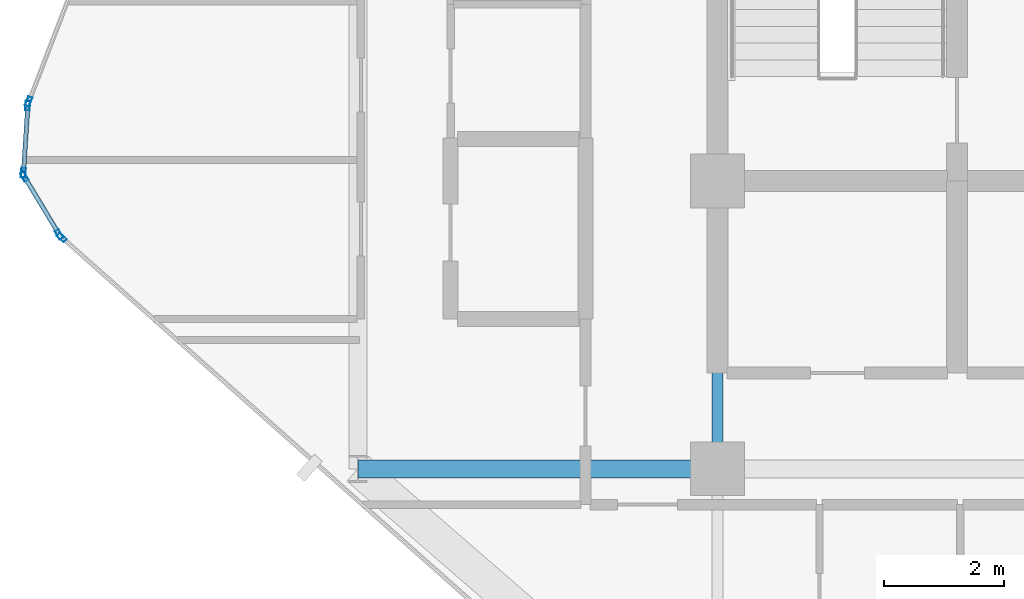
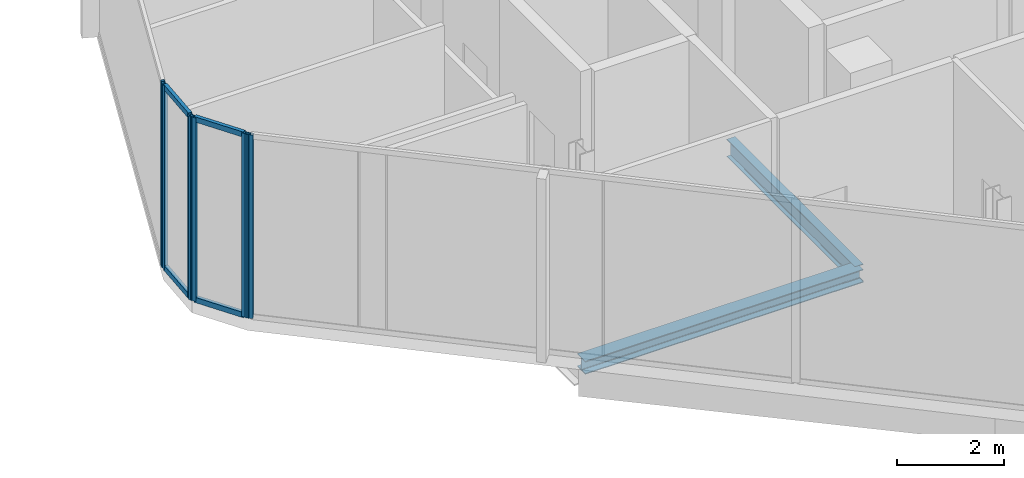
# One storey, part 8 of 28: 10 members, 2 beams, 4 elements without a shape of their own.
"""IFC4 building model written with IfcOpenShell, lengths in metres."""

from ifc_helpers import new_model, si_unit, direction, frame, origin, origin_2d, place, context, subcontext, project, spatial, hollow_rectangle, i_section, extrude, material, layer, layer_set, material_profile, profile_set, type_object, element, aggregate, save


model = new_model("IFC4")

# Units and contexts
model_context = context("Model", 3, precision=1e-05, world=origin(), true_north=direction((0.0, 1.0)))
body_context = subcontext(model_context, "Body", "Model", "MODEL_VIEW")
ifc_project = project(units=[si_unit("LENGTHUNIT", "METRE"), si_unit("AREAUNIT", "SQUARE_METRE"), si_unit("VOLUMEUNIT", "CUBIC_METRE"), si_unit("PLANEANGLEUNIT", "RADIAN"), si_unit("MASSUNIT", "GRAM", prefix="KILO")], contexts=[model_context])

# Site, building, storey
site_placement = place(None, origin())
site = spatial("IfcSite", under=ifc_project, at=site_placement, CompositionType="ELEMENT")
building_placement = place(site_placement, origin())
building = spatial("IfcBuilding", under=site, at=building_placement, Name="Keshet Zoharim Tower", CompositionType="ELEMENT")
storey_placement = place(building_placement, frame((0.0, 0.0, 164.60009765625)))
storey = spatial("IfcBuildingStorey", under=building, at=storey_placement, Name="L40", CompositionType="ELEMENT", Elevation=164.60009765625)

# Beams
ifc_material_1 = material(Name="Steel S355", Category="steel")
ifc_material_profile_1 = material_profile(ifc_material_1, i_section(OverallWidth=0.300048828125, OverallDepth=0.300048828125, WebThickness=0.010986328125, FlangeThickness=0.01904296875, FilletRadius=0.027099609375, at=origin_2d()), Name="HEB300")
ifc_profile_set_1 = profile_set([ifc_material_profile_1], Name="Steel S355")
beam_type_1 = type_object("IfcBeamType", Name="BM-PRI-HB300", PredefinedType="BEAM", material=ifc_profile_set_1)
beam_1_placement = place(storey_placement, frame((9.0, 17.89990234375, -0.460205078125), z_axis=(1.0, 0.0, 0.0), x_axis=(0.0, 1.0, 0.0)))
element("IfcBeam", 1, at=beam_1_placement, inside=storey, type_object=beam_type_1, Name="L40 Primary Girder X-011", PredefinedType="BEAM", context=body_context, shape_type="SweptSolid", body=[
    extrude(i_section(OverallWidth=0.300048828125, OverallDepth=0.300048828125, WebThickness=0.010986328125, FlangeThickness=0.01904296875, FilletRadius=0.027099609375, at=origin_2d()), origin(), (0.0, 0.0, 1.0), 6.0),
])
ifc_material_profile_2 = material_profile(ifc_material_1, i_section(OverallWidth=0.179931640625, OverallDepth=0.39990234375, WebThickness=0.008544921875, FlangeThickness=0.013427734375, FilletRadius=0.02099609375, at=origin_2d()), Name="IPE400")
ifc_profile_set_2 = profile_set([ifc_material_profile_2], Name="Steel S355")
beam_type_2 = type_object("IfcBeamType", Name="BM-PRI-IP400", PredefinedType="BEAM", material=ifc_profile_set_2)
beam_2_placement = place(storey_placement, frame((15.0, 17.89990234375, -0.510009765625), z_axis=(0.0, 1.0, 0.0), x_axis=(-1.0, 0.0, 0.0)))
element("IfcBeam", 2, at=beam_2_placement, inside=storey, type_object=beam_type_2, Name="L40 Primary Girder Y-003", PredefinedType="BEAM", context=body_context, shape_type="SweptSolid", body=[
    extrude(i_section(OverallWidth=0.179931640625, OverallDepth=0.39990234375, WebThickness=0.008544921875, FlangeThickness=0.013427734375, FilletRadius=0.02099609375, at=origin_2d()), origin(), (0.0, 0.0, 1.0), 4.800048828125),
])

# Curtain wall, member
ifc_material_2 = material(Name="Aluminium 6063-T6", Category="aluminium")
ifc_layer = layer(ifc_material_2, 0.139892578125)
ifc_layer_set = layer_set([ifc_layer], Name="Aluminium 6063-T6")
curtain_wall_type = type_object("IfcCurtainWallType", Name="CW-SYS-05", PredefinedType="NOTDEFINED", material=ifc_layer_set)
curtain_wall_1_placement = place(storey_placement, origin())
curtain_wall_1 = element("IfcCurtainWall", 3, at=curtain_wall_1_placement, inside=storey, type_object=curtain_wall_type, Name="L40 Unitised Curtain Wall 10 Part 2", PredefinedType="NOTDEFINED")
ifc_material_profile_3 = material_profile(ifc_material_2, hollow_rectangle(XDim=0.074951171875, YDim=0.159912109375, WallThickness=0.00390625, at=origin_2d()), Name="MUL-75x160")
ifc_profile_set_3 = profile_set([ifc_material_profile_3], Name="Aluminium 6063-T6")
member_type_1 = type_object("IfcMemberType", Name="CWM-M15", PredefinedType="MULLION", material=ifc_profile_set_3)
member_1_placement = place(storey_placement, frame((4.061279296875, 21.7568359375, 0.0), z_axis=(0.0, 0.0, 1.0), x_axis=(-0.664364431432, -0.747408791925, 0.0)))
member_1 = element("IfcMember", 4, at=member_1_placement, type_object=member_type_1, Name="CW-05 mullion 3", PredefinedType="MULLION", context=body_context, shape_type="SweptSolid", body=[
    extrude(hollow_rectangle(XDim=0.074951171875, YDim=0.159912109375, WallThickness=0.00390625, at=origin_2d()), origin(), (0.0, 0.0, 1.0), 4.18994140625),
])
aggregate(curtain_wall_1, [member_1])

# Curtain wall, members
curtain_wall_2_placement = place(storey_placement, origin())
curtain_wall_2 = element("IfcCurtainWall", 5, at=curtain_wall_2_placement, inside=storey, type_object=curtain_wall_type, Name="L40 Unitised Curtain Wall 11", PredefinedType="NOTDEFINED")
member_2_placement = place(storey_placement, frame((4.016845703125, 21.81005859375, 0.0), z_axis=(0.0, 0.0, 1.0), x_axis=(-0.856826433805, -0.515604947933, 0.0)))
member_2 = element("IfcMember", 6, at=member_2_placement, type_object=member_type_1, Name="CW-05 mullion 1", PredefinedType="MULLION", context=body_context, shape_type="SweptSolid", body=[
    extrude(hollow_rectangle(XDim=0.074951171875, YDim=0.159912109375, WallThickness=0.00390625, at=origin_2d()), origin(), (0.0, 0.0, 1.0), 4.18994140625),
])
member_3_placement = place(storey_placement, frame((3.43798828125, 22.77197265625, 0.0), z_axis=(0.0, 0.0, 1.0), x_axis=(-0.856826433805, -0.515604947933, 0.0)))
member_3 = element("IfcMember", 7, at=member_3_placement, type_object=member_type_1, Name="CW-05 mullion 2", PredefinedType="MULLION", context=body_context, shape_type="SweptSolid", body=[
    extrude(hollow_rectangle(XDim=0.074951171875, YDim=0.159912109375, WallThickness=0.00390625, at=origin_2d()), origin(), (0.0, 0.0, 1.0), 4.18994140625),
])

curtain_wall_3_placement = place(storey_placement, origin())
curtain_wall_3 = element("IfcCurtainWall", 8, at=curtain_wall_3_placement, inside=storey, type_object=curtain_wall_type, Name="L40 Unitised Curtain Wall 12", PredefinedType="NOTDEFINED")
member_4_placement = place(storey_placement, frame((3.42236328125, 22.8369140625, 0.0), z_axis=(0.0, 0.0, 1.0), x_axis=(-0.997916617186, 0.064516859374, 0.0)))
member_4 = element("IfcMember", 9, at=member_4_placement, type_object=member_type_1, Name="CW-05 mullion 1", PredefinedType="MULLION", context=body_context, shape_type="SweptSolid", body=[
    extrude(hollow_rectangle(XDim=0.074951171875, YDim=0.159912109375, WallThickness=0.00390625, at=origin_2d()), origin(), (0.0, 0.0, 1.0), 4.18994140625),
])
member_5_placement = place(storey_placement, frame((3.49462890625, 23.9580078125, 0.0), z_axis=(0.0, 0.0, 1.0), x_axis=(-0.997916617186, 0.064516859374, 0.0)))
member_5 = element("IfcMember", 10, at=member_5_placement, type_object=member_type_1, Name="CW-05 mullion 2", PredefinedType="MULLION", context=body_context, shape_type="SweptSolid", body=[
    extrude(hollow_rectangle(XDim=0.074951171875, YDim=0.159912109375, WallThickness=0.00390625, at=origin_2d()), origin(), (0.0, 0.0, 1.0), 4.18994140625),
])

# Curtain wall, member
curtain_wall_4_placement = place(storey_placement, origin())
curtain_wall_4 = element("IfcCurtainWall", 11, at=curtain_wall_4_placement, inside=storey, type_object=curtain_wall_type, Name="L40 Unitised Curtain Wall 13", PredefinedType="NOTDEFINED")
member_6_placement = place(storey_placement, frame((3.509521484375, 24.025634765625, 0.0), z_axis=(0.0, 0.0, 1.0), x_axis=(-0.933341404361, 0.358990003907, 0.0)))
member_6 = element("IfcMember", 12, at=member_6_placement, type_object=member_type_1, Name="CW-05 mullion 1", PredefinedType="MULLION", context=body_context, shape_type="SweptSolid", body=[
    extrude(hollow_rectangle(XDim=0.074951171875, YDim=0.159912109375, WallThickness=0.00390625, at=origin_2d()), origin(), (0.0, 0.0, 1.0), 4.18994140625),
])
aggregate(curtain_wall_4, [member_6])

# Member
ifc_material_profile_4 = material_profile(ifc_material_2, hollow_rectangle(XDim=0.074951171875, YDim=0.1201171875, WallThickness=0.00390625, at=origin_2d()), Name="TRN-75x120")
ifc_profile_set_4 = profile_set([ifc_material_profile_4], Name="Aluminium 6063-T6")
member_type_2 = type_object("IfcMemberType", Name="CWT-T12", PredefinedType="USERDEFINED", material=ifc_profile_set_4)
member_7_placement = place(storey_placement, frame((3.9990234375, 21.840087890625, 0.034912109375), z_axis=(-0.515791194107, 0.856714330499, 0.0), x_axis=(-0.856714330499, -0.515791194107, 0.0)))
member_7 = element("IfcMember", 13, at=member_7_placement, type_object=member_type_2, Name="CW-05 transom 1.1", ObjectType="TRANSOM", PredefinedType="USERDEFINED", context=body_context, shape_type="SweptSolid", body=[
    extrude(hollow_rectangle(XDim=0.074951171875, YDim=0.1201171875, WallThickness=0.00390625, at=origin_2d()), origin(), (0.0, 0.0, 1.0), 1.052734375),
])

member_8_placement = place(storey_placement, frame((3.9990234375, 21.840087890625, 4.15478515625), z_axis=(-0.515791194107, 0.856714330499, 0.0), x_axis=(-0.856714330499, -0.515791194107, 0.0)))
member_8 = element("IfcMember", 14, at=member_8_placement, type_object=member_type_2, Name="CW-05 transom 1.2", ObjectType="TRANSOM", PredefinedType="USERDEFINED", context=body_context, shape_type="SweptSolid", body=[
    extrude(hollow_rectangle(XDim=0.074951171875, YDim=0.1201171875, WallThickness=0.00390625, at=origin_2d()), origin(), (0.0, 0.0, 1.0), 1.052734375),
])

aggregate(curtain_wall_2, [member_2, member_3, member_7, member_8])

member_9_placement = place(storey_placement, frame((3.424560546875, 22.871826171875, 0.034912109375), z_axis=(0.064426947155, 0.997922426083, 0.0), x_axis=(-0.997922426083, 0.064426947155, 0.0)))
member_9 = element("IfcMember", 15, at=member_9_placement, type_object=member_type_2, Name="CW-05 transom 1.1", ObjectType="TRANSOM", PredefinedType="USERDEFINED", context=body_context, shape_type="SweptSolid", body=[
    extrude(hollow_rectangle(XDim=0.074951171875, YDim=0.1201171875, WallThickness=0.00390625, at=origin_2d()), origin(), (0.0, 0.0, 1.0), 1.053466796875),
])

member_10_placement = place(storey_placement, frame((3.424560546875, 22.871826171875, 4.15478515625), z_axis=(0.064426947155, 0.997922426083, 0.0), x_axis=(-0.997922426083, 0.064426947155, 0.0)))
member_10 = element("IfcMember", 16, at=member_10_placement, type_object=member_type_2, Name="CW-05 transom 1.2", ObjectType="TRANSOM", PredefinedType="USERDEFINED", context=body_context, shape_type="SweptSolid", body=[
    extrude(hollow_rectangle(XDim=0.074951171875, YDim=0.1201171875, WallThickness=0.00390625, at=origin_2d()), origin(), (0.0, 0.0, 1.0), 1.053466796875),
])

aggregate(curtain_wall_3, [member_4, member_5, member_9, member_10])

save(model, "model.ifc")
